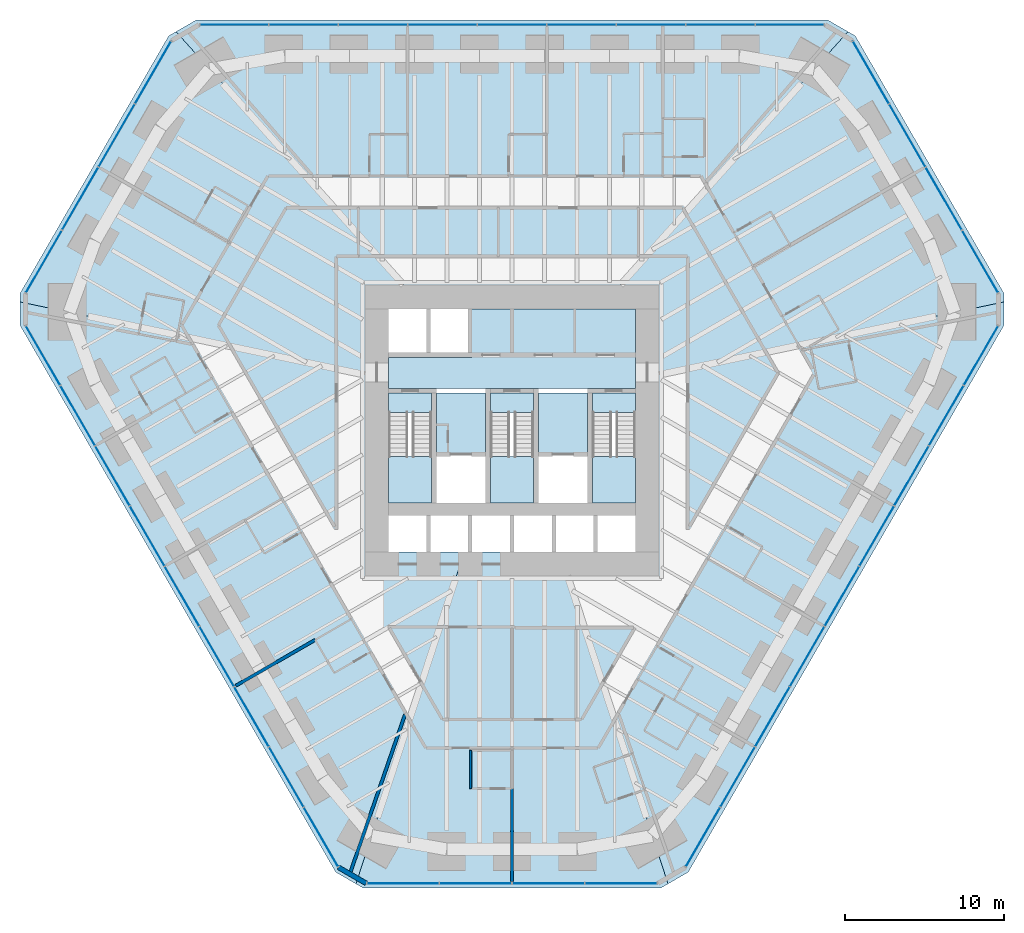
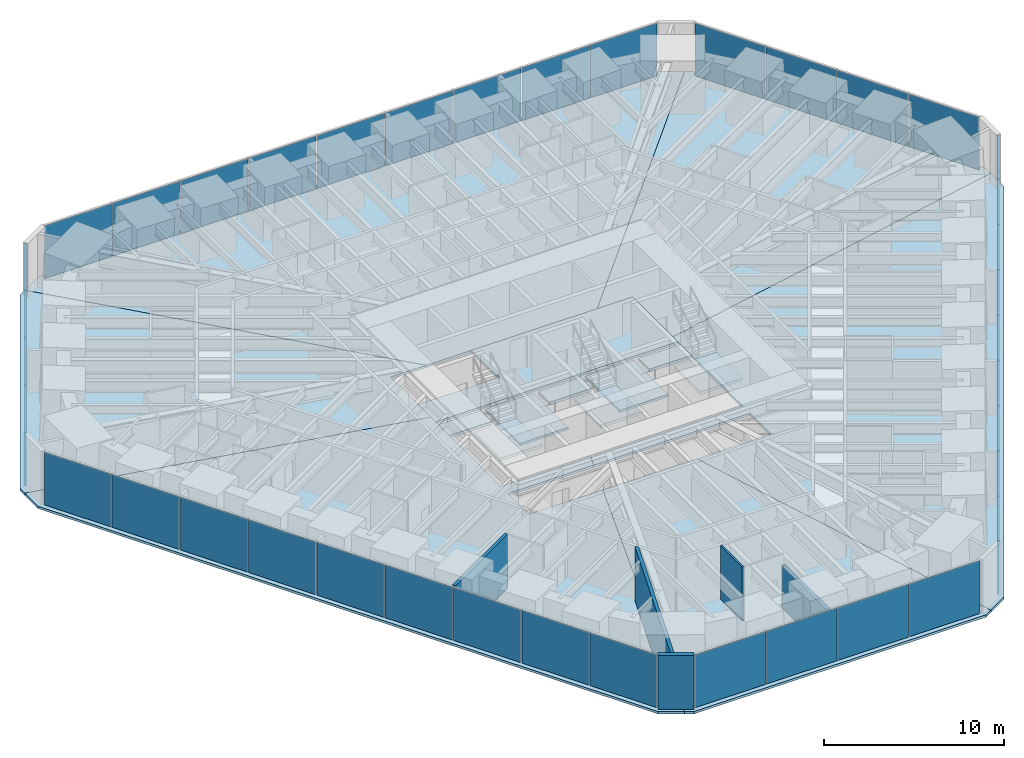
# One storey, part 10 of 17: 39 plates, 15 slabs, 5 walls, 9 elements without a shape of their own.
"""IFC4 building model written with IfcOpenShell, lengths in metres."""

from ifc_helpers import new_model, si_unit, direction, frame, frame_2d, origin, origin_2d, place, context, subcontext, project, spatial, polyline, rectangle, outline, extrude, material, layer, layer_set, type_object, element, aggregate, save


model = new_model("IFC4")

# Units and contexts
model_context = context("Model", 3, precision=1e-05, world=origin(), true_north=direction((0.0, 1.0)))
body_context = subcontext(model_context, "Body", "Model", "MODEL_VIEW")
ifc_project = project(units=[si_unit("LENGTHUNIT", "METRE"), si_unit("AREAUNIT", "SQUARE_METRE"), si_unit("VOLUMEUNIT", "CUBIC_METRE"), si_unit("PLANEANGLEUNIT", "RADIAN"), si_unit("MASSUNIT", "GRAM", prefix="KILO")], contexts=[model_context])

# Site, building, storey
site_placement = place(None, origin())
site = spatial("IfcSite", under=ifc_project, at=site_placement, CompositionType="ELEMENT")
building_placement = place(site_placement, origin())
building = spatial("IfcBuilding", under=site, at=building_placement, Name="Sandreach Pilgrim Tower", CompositionType="ELEMENT")
storey_placement = place(building_placement, frame((0.0, 0.0, 72.39990234375)))
storey = spatial("IfcBuildingStorey", under=building, at=storey_placement, Name="L17", CompositionType="ELEMENT", Elevation=72.39990234375)

# Curtain wall, plates
ifc_material_1 = material(Name="Aluminium framed curtain wall", Category="aluminium")
curtain_wall_type = type_object("IfcCurtainWallType", Name="Hostel tower curtain wall", PredefinedType="NOTDEFINED", material=ifc_material_1)
curtain_wall_1_placement = place(storey_placement, origin())
curtain_wall_1 = element("IfcCurtainWall", 1, at=curtain_wall_1_placement, inside=storey, type_object=curtain_wall_type, Name="CW-1 L17 N", PredefinedType="NOTDEFINED")
ifc_material_2 = material(Name="Insulating glass unit 6 heat-strengthened + 12 argon + 6 heat-strengthened", Category="glass")
ifc_layer_1 = layer(ifc_material_2, 0.02392578125)
ifc_layer_set_1 = layer_set([ifc_layer_1], Name="CW-1 panel")
plate_type = type_object("IfcPlateType", Name="CW-1 panel", PredefinedType="CURTAIN_PANEL", material=ifc_layer_set_1)
plate_1_placement = place(storey_placement, frame((-17.469970703125, 23.94873046875, 0.0), z_axis=(0.0, 0.0, 1.0), x_axis=(1.0, 0.0, 0.0)))
plate_1 = element("IfcPlate", 2, at=plate_1_placement, type_object=plate_type, Name="CW-1 panel 1", PredefinedType="CURTAIN_PANEL", context=body_context, shape_type="SweptSolid", body=[
    extrude(rectangle(XDim=4.274169921875, YDim=0.02392578125, at=origin_2d()), origin(), (0.0, 0.0, 1.0), 3.570068359375),
])
plate_2_placement = place(storey_placement, frame((-13.11474609375, 23.94873046875, 0.0), z_axis=(0.0, 0.0, 1.0), x_axis=(1.0, 0.0, 0.0)))
plate_2 = element("IfcPlate", 3, at=plate_2_placement, type_object=plate_type, Name="CW-1 panel 2", PredefinedType="CURTAIN_PANEL", context=body_context, shape_type="SweptSolid", body=[
    extrude(rectangle(XDim=4.306640625, YDim=0.02392578125, at=origin_2d()), origin(), (0.0, 0.0, 1.0), 3.570068359375),
])
plate_3_placement = place(storey_placement, frame((-8.7431640625, 23.94873046875, 0.0), z_axis=(0.0, 0.0, 1.0), x_axis=(1.0, 0.0, 0.0)))
plate_3 = element("IfcPlate", 4, at=plate_3_placement, type_object=plate_type, Name="CW-1 panel 3", PredefinedType="CURTAIN_PANEL", context=body_context, shape_type="SweptSolid", body=[
    extrude(rectangle(XDim=4.306640625, YDim=0.02392578125, at=origin_2d()), origin(), (0.0, 0.0, 1.0), 3.570068359375),
])
plate_4_placement = place(storey_placement, frame((-4.37158203125, 23.94873046875, 0.0), z_axis=(0.0, 0.0, 1.0), x_axis=(1.0, 0.0, 0.0)))
plate_4 = element("IfcPlate", 5, at=plate_4_placement, type_object=plate_type, Name="CW-1 panel 4", PredefinedType="CURTAIN_PANEL", context=body_context, shape_type="SweptSolid", body=[
    extrude(rectangle(XDim=4.306640625, YDim=0.02392578125, at=origin_2d()), origin(), (0.0, 0.0, 1.0), 3.570068359375),
])
plate_5_placement = place(storey_placement, frame((0.0, 23.94873046875, 0.0), z_axis=(0.0, 0.0, 1.0), x_axis=(1.0, 0.0, 0.0)))
plate_5 = element("IfcPlate", 6, at=plate_5_placement, type_object=plate_type, Name="CW-1 panel 5", PredefinedType="CURTAIN_PANEL", context=body_context, shape_type="SweptSolid", body=[
    extrude(rectangle(XDim=4.306640625, YDim=0.02392578125, at=origin_2d()), origin(), (0.0, 0.0, 1.0), 3.570068359375),
])
plate_6_placement = place(storey_placement, frame((4.37158203125, 23.94873046875, 0.0), z_axis=(0.0, 0.0, 1.0), x_axis=(1.0, 0.0, 0.0)))
plate_6 = element("IfcPlate", 7, at=plate_6_placement, type_object=plate_type, Name="CW-1 panel 6", PredefinedType="CURTAIN_PANEL", context=body_context, shape_type="SweptSolid", body=[
    extrude(rectangle(XDim=4.306640625, YDim=0.02392578125, at=origin_2d()), origin(), (0.0, 0.0, 1.0), 3.570068359375),
])
plate_7_placement = place(storey_placement, frame((8.7431640625, 23.94873046875, 0.0), z_axis=(0.0, 0.0, 1.0), x_axis=(1.0, 0.0, 0.0)))
plate_7 = element("IfcPlate", 8, at=plate_7_placement, type_object=plate_type, Name="CW-1 panel 7", PredefinedType="CURTAIN_PANEL", context=body_context, shape_type="SweptSolid", body=[
    extrude(rectangle(XDim=4.306640625, YDim=0.02392578125, at=origin_2d()), origin(), (0.0, 0.0, 1.0), 3.570068359375),
])
plate_8_placement = place(storey_placement, frame((13.11474609375, 23.94873046875, 0.0), z_axis=(0.0, 0.0, 1.0), x_axis=(1.0, 0.0, 0.0)))
plate_8 = element("IfcPlate", 9, at=plate_8_placement, type_object=plate_type, Name="CW-1 panel 8", PredefinedType="CURTAIN_PANEL", context=body_context, shape_type="SweptSolid", body=[
    extrude(rectangle(XDim=4.306640625, YDim=0.02392578125, at=origin_2d()), origin(), (0.0, 0.0, 1.0), 3.570068359375),
])
plate_9_placement = place(storey_placement, frame((17.469970703125, 23.94873046875, 0.0), z_axis=(0.0, 0.0, 1.0), x_axis=(1.0, 0.0, 0.0)))
plate_9 = element("IfcPlate", 10, at=plate_9_placement, type_object=plate_type, Name="CW-1 panel 9", PredefinedType="CURTAIN_PANEL", context=body_context, shape_type="SweptSolid", body=[
    extrude(rectangle(XDim=4.274169921875, YDim=0.02392578125, at=origin_2d()), origin(), (0.0, 0.0, 1.0), 3.570068359375),
])
aggregate(curtain_wall_1, [plate_1, plate_2, plate_3, plate_4, plate_5, plate_6, plate_7, plate_8, plate_9])

curtain_wall_2_placement = place(storey_placement, origin())
curtain_wall_2 = element("IfcCurtainWall", 11, at=curtain_wall_2_placement, inside=storey, type_object=curtain_wall_type, Name="CW-1 L17 NE", PredefinedType="NOTDEFINED")
plate_10_placement = place(storey_placement, frame((22.558837890625, 20.94873046875, 0.0), z_axis=(0.0, 0.0, 1.0), x_axis=(0.5, -0.866025403784, 0.0)))
plate_10 = element("IfcPlate", 12, at=plate_10_placement, type_object=plate_type, Name="CW-1 panel 1", PredefinedType="CURTAIN_PANEL", context=body_context, shape_type="SweptSolid", body=[
    extrude(rectangle(XDim=4.488525390625, YDim=0.02392578125, at=origin_2d()), origin(), (0.0, 0.0, 1.0), 3.570068359375),
])
plate_11_placement = place(storey_placement, frame((24.84375, 16.9912109375, 0.0), z_axis=(0.0, 0.0, 1.0), x_axis=(0.5, -0.866025403784, 0.0)))
plate_11 = element("IfcPlate", 13, at=plate_11_placement, type_object=plate_type, Name="CW-1 panel 2", PredefinedType="CURTAIN_PANEL", context=body_context, shape_type="SweptSolid", body=[
    extrude(rectangle(XDim=4.52099609375, YDim=0.02392578125, at=origin_2d()), origin(), (0.0, 0.0, 1.0), 3.570068359375),
])
plate_12_placement = place(storey_placement, frame((27.13671875, 13.01953125, 0.0), z_axis=(0.0, 0.0, 1.0), x_axis=(0.5, -0.866025403784, 0.0)))
plate_12 = element("IfcPlate", 14, at=plate_12_placement, type_object=plate_type, Name="CW-1 panel 3", PredefinedType="CURTAIN_PANEL", context=body_context, shape_type="SweptSolid", body=[
    extrude(rectangle(XDim=4.52099609375, YDim=0.02392578125, at=origin_2d()), origin(), (0.0, 0.0, 1.0), 3.570068359375),
])
plate_13_placement = place(storey_placement, frame((29.421630859375, 9.06201171875, 0.0), z_axis=(0.0, 0.0, 1.0), x_axis=(0.5, -0.866025403784, 0.0)))
plate_13 = element("IfcPlate", 15, at=plate_13_placement, type_object=plate_type, Name="CW-1 panel 4", PredefinedType="CURTAIN_PANEL", context=body_context, shape_type="SweptSolid", body=[
    extrude(rectangle(XDim=4.488525390625, YDim=0.02392578125, at=origin_2d()), origin(), (0.0, 0.0, 1.0), 3.570068359375),
])
aggregate(curtain_wall_2, [plate_10, plate_11, plate_12, plate_13])

curtain_wall_3_placement = place(storey_placement, origin())
curtain_wall_3 = element("IfcCurtainWall", 16, at=curtain_wall_3_placement, inside=storey, type_object=curtain_wall_type, Name="CW-1 L17 SE", PredefinedType="NOTDEFINED")
plate_14_placement = place(storey_placement, frame((29.475341796875, 3.1552734375, 0.0), z_axis=(0.0, 0.0, 1.0), x_axis=(-0.5, -0.866025403784, 0.0)))
plate_14 = element("IfcPlate", 17, at=plate_14_placement, type_object=plate_type, Name="CW-1 panel 1", PredefinedType="CURTAIN_PANEL", context=body_context, shape_type="SweptSolid", body=[
    extrude(rectangle(XDim=4.274169921875, YDim=0.02392578125, at=origin_2d()), origin(), (0.0, 0.0, 1.0), 3.570068359375),
])
plate_15_placement = place(storey_placement, frame((27.297607421875, -0.61669921875, 0.0), z_axis=(0.0, 0.0, 1.0), x_axis=(-0.5, -0.866025403784, 0.0)))
plate_15 = element("IfcPlate", 18, at=plate_15_placement, type_object=plate_type, Name="CW-1 panel 2", PredefinedType="CURTAIN_PANEL", context=body_context, shape_type="SweptSolid", body=[
    extrude(rectangle(XDim=4.306640625, YDim=0.02392578125, at=origin_2d()), origin(), (0.0, 0.0, 1.0), 3.570068359375),
])
plate_16_placement = place(storey_placement, frame((25.11181640625, -4.402587890625, 0.0), z_axis=(0.0, 0.0, 1.0), x_axis=(-0.5, -0.866025403784, 0.0)))
plate_16 = element("IfcPlate", 19, at=plate_16_placement, type_object=plate_type, Name="CW-1 panel 3", PredefinedType="CURTAIN_PANEL", context=body_context, shape_type="SweptSolid", body=[
    extrude(rectangle(XDim=4.306640625, YDim=0.02392578125, at=origin_2d()), origin(), (0.0, 0.0, 1.0), 3.570068359375),
])
plate_17_placement = place(storey_placement, frame((22.926025390625, -8.1884765625, 0.0), z_axis=(0.0, 0.0, 1.0), x_axis=(-0.5, -0.866025403784, 0.0)))
plate_17 = element("IfcPlate", 20, at=plate_17_placement, type_object=plate_type, Name="CW-1 panel 4", PredefinedType="CURTAIN_PANEL", context=body_context, shape_type="SweptSolid", body=[
    extrude(rectangle(XDim=4.306640625, YDim=0.02392578125, at=origin_2d()), origin(), (0.0, 0.0, 1.0), 3.570068359375),
])
plate_18_placement = place(storey_placement, frame((20.740234375, -11.974365234375, 0.0), z_axis=(0.0, 0.0, 1.0), x_axis=(-0.5, -0.866025403784, 0.0)))
plate_18 = element("IfcPlate", 21, at=plate_18_placement, type_object=plate_type, Name="CW-1 panel 5", PredefinedType="CURTAIN_PANEL", context=body_context, shape_type="SweptSolid", body=[
    extrude(rectangle(XDim=4.306640625, YDim=0.02392578125, at=origin_2d()), origin(), (0.0, 0.0, 1.0), 3.570068359375),
])
plate_19_placement = place(storey_placement, frame((18.554443359375, -15.76025390625, 0.0), z_axis=(0.0, 0.0, 1.0), x_axis=(-0.5, -0.866025403784, 0.0)))
plate_19 = element("IfcPlate", 22, at=plate_19_placement, type_object=plate_type, Name="CW-1 panel 6", PredefinedType="CURTAIN_PANEL", context=body_context, shape_type="SweptSolid", body=[
    extrude(rectangle(XDim=4.306640625, YDim=0.02392578125, at=origin_2d()), origin(), (0.0, 0.0, 1.0), 3.570068359375),
])
plate_20_placement = place(storey_placement, frame((16.36865234375, -19.546142578125, 0.0), z_axis=(0.0, 0.0, 1.0), x_axis=(-0.5, -0.866025403784, 0.0)))
plate_20 = element("IfcPlate", 23, at=plate_20_placement, type_object=plate_type, Name="CW-1 panel 7", PredefinedType="CURTAIN_PANEL", context=body_context, shape_type="SweptSolid", body=[
    extrude(rectangle(XDim=4.306640625, YDim=0.02392578125, at=origin_2d()), origin(), (0.0, 0.0, 1.0), 3.570068359375),
])
plate_21_placement = place(storey_placement, frame((14.182861328125, -23.33203125, 0.0), z_axis=(0.0, 0.0, 1.0), x_axis=(-0.5, -0.866025403784, 0.0)))
plate_21 = element("IfcPlate", 24, at=plate_21_placement, type_object=plate_type, Name="CW-1 panel 8", PredefinedType="CURTAIN_PANEL", context=body_context, shape_type="SweptSolid", body=[
    extrude(rectangle(XDim=4.306640625, YDim=0.02392578125, at=origin_2d()), origin(), (0.0, 0.0, 1.0), 3.570068359375),
])
plate_22_placement = place(storey_placement, frame((12.005126953125, -27.103759765625, 0.0), z_axis=(0.0, 0.0, 1.0), x_axis=(-0.5, -0.866025403784, 0.0)))
plate_22 = element("IfcPlate", 25, at=plate_22_placement, type_object=plate_type, Name="CW-1 panel 9", PredefinedType="CURTAIN_PANEL", context=body_context, shape_type="SweptSolid", body=[
    extrude(rectangle(XDim=4.274169921875, YDim=0.02392578125, at=origin_2d()), origin(), (0.0, 0.0, 1.0), 3.570068359375),
])
aggregate(curtain_wall_3, [plate_14, plate_15, plate_16, plate_17, plate_18, plate_19, plate_20, plate_21, plate_22])

curtain_wall_4_placement = place(storey_placement, origin())
curtain_wall_4 = element("IfcCurtainWall", 26, at=curtain_wall_4_placement, inside=storey, type_object=curtain_wall_type, Name="CW-1 L17 S", PredefinedType="NOTDEFINED")
plate_23_placement = place(storey_placement, frame((6.86279296875, -30.010986328125, 0.0), z_axis=(0.0, 0.0, 1.0), x_axis=(-1.0, 0.0, 0.0)))
plate_23 = element("IfcPlate", 27, at=plate_23_placement, type_object=plate_type, Name="CW-1 panel 1", PredefinedType="CURTAIN_PANEL", context=body_context, shape_type="SweptSolid", body=[
    extrude(rectangle(XDim=4.488525390625, YDim=0.02392578125, at=origin_2d()), origin(), (0.0, 0.0, 1.0), 3.570068359375),
])
plate_24_placement = place(storey_placement, frame((2.29296875, -30.010986328125, 0.0), z_axis=(0.0, 0.0, 1.0), x_axis=(-1.0, 0.0, 0.0)))
plate_24 = element("IfcPlate", 28, at=plate_24_placement, type_object=plate_type, Name="CW-1 panel 2", PredefinedType="CURTAIN_PANEL", context=body_context, shape_type="SweptSolid", body=[
    extrude(rectangle(XDim=4.52099609375, YDim=0.02392578125, at=origin_2d()), origin(), (0.0, 0.0, 1.0), 3.570068359375),
])
plate_25_placement = place(storey_placement, frame((-2.29296875, -30.010986328125, 0.0), z_axis=(0.0, 0.0, 1.0), x_axis=(-1.0, 0.0, 0.0)))
plate_25 = element("IfcPlate", 29, at=plate_25_placement, type_object=plate_type, Name="CW-1 panel 3", PredefinedType="CURTAIN_PANEL", context=body_context, shape_type="SweptSolid", body=[
    extrude(rectangle(XDim=4.52099609375, YDim=0.02392578125, at=origin_2d()), origin(), (0.0, 0.0, 1.0), 3.570068359375),
])
plate_26_placement = place(storey_placement, frame((-6.86279296875, -30.010986328125, 0.0), z_axis=(0.0, 0.0, 1.0), x_axis=(-1.0, 0.0, 0.0)))
plate_26 = element("IfcPlate", 30, at=plate_26_placement, type_object=plate_type, Name="CW-1 panel 4", PredefinedType="CURTAIN_PANEL", context=body_context, shape_type="SweptSolid", body=[
    extrude(rectangle(XDim=4.488525390625, YDim=0.02392578125, at=origin_2d()), origin(), (0.0, 0.0, 1.0), 3.570068359375),
])
aggregate(curtain_wall_4, [plate_23, plate_24, plate_25, plate_26])

curtain_wall_5_placement = place(storey_placement, origin())
curtain_wall_5 = element("IfcCurtainWall", 31, at=curtain_wall_5_placement, inside=storey, type_object=curtain_wall_type, Name="CW-1 L17 SW", PredefinedType="NOTDEFINED")
plate_27_placement = place(storey_placement, frame((-12.005126953125, -27.103759765625, 0.0), z_axis=(0.0, 0.0, 1.0), x_axis=(-0.5, 0.866025403784, 0.0)))
plate_27 = element("IfcPlate", 32, at=plate_27_placement, type_object=plate_type, Name="CW-1 panel 1", PredefinedType="CURTAIN_PANEL", context=body_context, shape_type="SweptSolid", body=[
    extrude(rectangle(XDim=4.274169921875, YDim=0.02392578125, at=origin_2d()), origin(), (0.0, 0.0, 1.0), 3.570068359375),
])
plate_28_placement = place(storey_placement, frame((-14.182861328125, -23.33203125, 0.0), z_axis=(0.0, 0.0, 1.0), x_axis=(-0.5, 0.866025403784, 0.0)))
plate_28 = element("IfcPlate", 33, at=plate_28_placement, type_object=plate_type, Name="CW-1 panel 2", PredefinedType="CURTAIN_PANEL", context=body_context, shape_type="SweptSolid", body=[
    extrude(rectangle(XDim=4.306640625, YDim=0.02392578125, at=origin_2d()), origin(), (0.0, 0.0, 1.0), 3.570068359375),
])
plate_29_placement = place(storey_placement, frame((-16.36865234375, -19.546142578125, 0.0), z_axis=(0.0, 0.0, 1.0), x_axis=(-0.5, 0.866025403784, 0.0)))
plate_29 = element("IfcPlate", 34, at=plate_29_placement, type_object=plate_type, Name="CW-1 panel 3", PredefinedType="CURTAIN_PANEL", context=body_context, shape_type="SweptSolid", body=[
    extrude(rectangle(XDim=4.306640625, YDim=0.02392578125, at=origin_2d()), origin(), (0.0, 0.0, 1.0), 3.570068359375),
])
plate_30_placement = place(storey_placement, frame((-18.554443359375, -15.76025390625, 0.0), z_axis=(0.0, 0.0, 1.0), x_axis=(-0.5, 0.866025403784, 0.0)))
plate_30 = element("IfcPlate", 35, at=plate_30_placement, type_object=plate_type, Name="CW-1 panel 4", PredefinedType="CURTAIN_PANEL", context=body_context, shape_type="SweptSolid", body=[
    extrude(rectangle(XDim=4.306640625, YDim=0.02392578125, at=origin_2d()), origin(), (0.0, 0.0, 1.0), 3.570068359375),
])
plate_31_placement = place(storey_placement, frame((-20.740234375, -11.974365234375, 0.0), z_axis=(0.0, 0.0, 1.0), x_axis=(-0.5, 0.866025403784, 0.0)))
plate_31 = element("IfcPlate", 36, at=plate_31_placement, type_object=plate_type, Name="CW-1 panel 5", PredefinedType="CURTAIN_PANEL", context=body_context, shape_type="SweptSolid", body=[
    extrude(rectangle(XDim=4.306640625, YDim=0.02392578125, at=origin_2d()), origin(), (0.0, 0.0, 1.0), 3.570068359375),
])
plate_32_placement = place(storey_placement, frame((-22.926025390625, -8.1884765625, 0.0), z_axis=(0.0, 0.0, 1.0), x_axis=(-0.5, 0.866025403784, 0.0)))
plate_32 = element("IfcPlate", 37, at=plate_32_placement, type_object=plate_type, Name="CW-1 panel 6", PredefinedType="CURTAIN_PANEL", context=body_context, shape_type="SweptSolid", body=[
    extrude(rectangle(XDim=4.306640625, YDim=0.02392578125, at=origin_2d()), origin(), (0.0, 0.0, 1.0), 3.570068359375),
])
plate_33_placement = place(storey_placement, frame((-25.11181640625, -4.402587890625, 0.0), z_axis=(0.0, 0.0, 1.0), x_axis=(-0.5, 0.866025403784, 0.0)))
plate_33 = element("IfcPlate", 38, at=plate_33_placement, type_object=plate_type, Name="CW-1 panel 7", PredefinedType="CURTAIN_PANEL", context=body_context, shape_type="SweptSolid", body=[
    extrude(rectangle(XDim=4.306640625, YDim=0.02392578125, at=origin_2d()), origin(), (0.0, 0.0, 1.0), 3.570068359375),
])
plate_34_placement = place(storey_placement, frame((-27.297607421875, -0.61669921875, 0.0), z_axis=(0.0, 0.0, 1.0), x_axis=(-0.5, 0.866025403784, 0.0)))
plate_34 = element("IfcPlate", 39, at=plate_34_placement, type_object=plate_type, Name="CW-1 panel 8", PredefinedType="CURTAIN_PANEL", context=body_context, shape_type="SweptSolid", body=[
    extrude(rectangle(XDim=4.306640625, YDim=0.02392578125, at=origin_2d()), origin(), (0.0, 0.0, 1.0), 3.570068359375),
])
plate_35_placement = place(storey_placement, frame((-29.475341796875, 3.1552734375, 0.0), z_axis=(0.0, 0.0, 1.0), x_axis=(-0.5, 0.866025403784, 0.0)))
plate_35 = element("IfcPlate", 40, at=plate_35_placement, type_object=plate_type, Name="CW-1 panel 9", PredefinedType="CURTAIN_PANEL", context=body_context, shape_type="SweptSolid", body=[
    extrude(rectangle(XDim=4.274169921875, YDim=0.02392578125, at=origin_2d()), origin(), (0.0, 0.0, 1.0), 3.570068359375),
])
aggregate(curtain_wall_5, [plate_27, plate_28, plate_29, plate_30, plate_31, plate_32, plate_33, plate_34, plate_35])

curtain_wall_6_placement = place(storey_placement, origin())
curtain_wall_6 = element("IfcCurtainWall", 41, at=curtain_wall_6_placement, inside=storey, type_object=curtain_wall_type, Name="CW-1 L17 NW", PredefinedType="NOTDEFINED")
plate_36_placement = place(storey_placement, frame((-29.421630859375, 9.06201171875, 0.0), z_axis=(0.0, 0.0, 1.0), x_axis=(0.5, 0.866025403784, 0.0)))
plate_36 = element("IfcPlate", 42, at=plate_36_placement, type_object=plate_type, Name="CW-1 panel 1", PredefinedType="CURTAIN_PANEL", context=body_context, shape_type="SweptSolid", body=[
    extrude(rectangle(XDim=4.488525390625, YDim=0.02392578125, at=origin_2d()), origin(), (0.0, 0.0, 1.0), 3.570068359375),
])
plate_37_placement = place(storey_placement, frame((-27.13671875, 13.01953125, 0.0), z_axis=(0.0, 0.0, 1.0), x_axis=(0.5, 0.866025403784, 0.0)))
plate_37 = element("IfcPlate", 43, at=plate_37_placement, type_object=plate_type, Name="CW-1 panel 2", PredefinedType="CURTAIN_PANEL", context=body_context, shape_type="SweptSolid", body=[
    extrude(rectangle(XDim=4.52099609375, YDim=0.02392578125, at=origin_2d()), origin(), (0.0, 0.0, 1.0), 3.570068359375),
])
plate_38_placement = place(storey_placement, frame((-24.84375, 16.9912109375, 0.0), z_axis=(0.0, 0.0, 1.0), x_axis=(0.5, 0.866025403784, 0.0)))
plate_38 = element("IfcPlate", 44, at=plate_38_placement, type_object=plate_type, Name="CW-1 panel 3", PredefinedType="CURTAIN_PANEL", context=body_context, shape_type="SweptSolid", body=[
    extrude(rectangle(XDim=4.52099609375, YDim=0.02392578125, at=origin_2d()), origin(), (0.0, 0.0, 1.0), 3.570068359375),
])
plate_39_placement = place(storey_placement, frame((-22.558837890625, 20.94873046875, 0.0), z_axis=(0.0, 0.0, 1.0), x_axis=(0.5, 0.866025403784, 0.0)))
plate_39 = element("IfcPlate", 45, at=plate_39_placement, type_object=plate_type, Name="CW-1 panel 4", PredefinedType="CURTAIN_PANEL", context=body_context, shape_type="SweptSolid", body=[
    extrude(rectangle(XDim=4.488525390625, YDim=0.02392578125, at=origin_2d()), origin(), (0.0, 0.0, 1.0), 3.570068359375),
])
aggregate(curtain_wall_6, [plate_36, plate_37, plate_38, plate_39])

# Slabs
ifc_material_3 = material(Name="Concrete 8000 psi", Category="concrete")
ifc_layer_2 = layer(ifc_material_3, 0.159912109375)
ifc_layer_set_2 = layer_set([ifc_layer_2], Name="Composite floor slab 160")
slab_type_1 = type_object("IfcSlabType", Name="Composite floor slab 160", PredefinedType="FLOOR", material=ifc_layer_set_2)
slab_1_placement = place(storey_placement, frame((0.0, 0.0, -0.159912109375)))
element("IfcSlab", 46, at=slab_1_placement, inside=storey, type_object=slab_type_1, Name="Floor slab L17 N sector", PredefinedType="FLOOR", context=body_context, shape_type="SweptSolid", body=[
    extrude(outline(polyline([(-19.84521484375, 24.248779296875), (19.84521484375, 24.248779296875), (21.115478515625, 23.515380859375), (5.477294921875, 6.10009765625), (-5.477294921875, 6.10009765625), (-21.115478515625, 23.515380859375), (-19.84521484375, 24.248779296875)])), origin(), (0.0, 0.0, 1.0), 0.159912109375),
])
slab_2_placement = place(storey_placement, frame((0.0, 0.0, -0.159912109375)))
element("IfcSlab", 47, at=slab_2_placement, inside=storey, type_object=slab_type_1, Name="Floor slab L17 NE sector", PredefinedType="FLOOR", context=body_context, shape_type="SweptSolid", body=[
    extrude(outline(polyline([(21.577392578125, 23.248779296875), (30.922607421875, 7.062255859375), (30.922607421875, 6.52880859375), (7.75, 1.63623046875), (7.75, 6.10009765625), (5.477294921875, 6.10009765625), (21.115478515625, 23.515380859375), (21.577392578125, 23.248779296875)])), origin(), (0.0, 0.0, 1.0), 0.159912109375),
])
slab_3_placement = place(storey_placement, frame((0.0, 0.0, -0.159912109375)))
element("IfcSlab", 48, at=slab_3_placement, inside=storey, type_object=slab_type_1, Name="Floor slab L17 SE sector", PredefinedType="FLOOR", context=body_context, shape_type="SweptSolid", body=[
    extrude(outline(polyline([(11.077392578125, -29.310791015625), (9.80712890625, -30.044189453125), (3.003173828125, -9.199951171875), (7.75, -9.199951171875), (7.75, -6.89990234375), (-2.252197265625, -6.89990234375), (-1.9912109375, -6.10009765625), (7.75, -6.10009765625), (7.75, 1.63623046875), (30.922607421875, 6.52880859375), (30.922607421875, 5.062255859375), (11.077392578125, -29.310791015625)])), origin(), (0.0, 0.0, 1.0), 0.159912109375),
])
slab_4_placement = place(storey_placement, frame((0.0, 0.0, -0.159912109375)))
element("IfcSlab", 49, at=slab_4_placement, inside=storey, type_object=slab_type_1, Name="Floor slab L17 S sector", PredefinedType="FLOOR", context=body_context, shape_type="SweptSolid", body=[
    extrude(outline(polyline([(9.34521484375, -30.310791015625), (-9.34521484375, -30.310791015625), (-9.80712890625, -30.044189453125), (-3.003173828125, -9.199951171875), (3.003173828125, -9.199951171875), (9.80712890625, -30.044189453125), (9.34521484375, -30.310791015625)])), origin(), (0.0, 0.0, 1.0), 0.159912109375),
])
slab_5_placement = place(storey_placement, frame((0.0, 0.0, -0.159912109375)))
element("IfcSlab", 50, at=slab_5_placement, inside=storey, type_object=slab_type_1, Name="Floor slab L17 SW sector", PredefinedType="FLOOR", context=body_context, shape_type="SweptSolid", body=[
    extrude(outline(polyline([(-11.077392578125, -29.310791015625), (-30.922607421875, 5.062255859375), (-30.922607421875, 6.52880859375), (-7.75, 1.63623046875), (-7.75, -6.10009765625), (-1.9912109375, -6.10009765625), (-2.252197265625, -6.89990234375), (-7.75, -6.89990234375), (-7.75, -9.199951171875), (-3.003173828125, -9.199951171875), (-9.80712890625, -30.044189453125), (-11.077392578125, -29.310791015625)])), origin(), (0.0, 0.0, 1.0), 0.159912109375),
])
slab_6_placement = place(storey_placement, frame((0.0, 0.0, -0.159912109375)))
element("IfcSlab", 51, at=slab_6_placement, inside=storey, type_object=slab_type_1, Name="Floor slab L17 NW sector", PredefinedType="FLOOR", context=body_context, shape_type="SweptSolid", body=[
    extrude(outline(polyline([(-30.922607421875, 7.062255859375), (-21.577392578125, 23.248779296875), (-21.115478515625, 23.515380859375), (-5.477294921875, 6.10009765625), (-7.75, 6.10009765625), (-7.75, 1.63623046875), (-30.922607421875, 6.52880859375), (-30.922607421875, 7.062255859375)])), origin(), (0.0, 0.0, 1.0), 0.159912109375),
])
slab_7_placement = place(storey_placement, frame((0.0, 0.0, -0.159912109375)))
element("IfcSlab", 52, at=slab_7_placement, inside=storey, type_object=slab_type_1, Name="Core floor slab and stores L17", PredefinedType="FLOOR", context=body_context, shape_type="SweptSolid", body=[
    extrude(outline(polyline([(-7.75, 3.050048828125), (-5.375, 3.050048828125), (-5.125, 3.050048828125), (-2.5, 3.050048828125), (-2.5, 3.35009765625), (-2.60009765625, 3.35009765625), (-2.60009765625, 6.10009765625), (7.75, 6.10009765625), (7.75, 1.10009765625), (5.050048828125, 1.10009765625), (4.75, 1.10009765625), (1.64990234375, 1.10009765625), (1.35009765625, 1.10009765625), (-1.35009765625, 1.10009765625), (-1.64990234375, 1.10009765625), (-4.75, 1.10009765625), (-5.050048828125, 1.10009765625), (-7.75, 1.10009765625), (-7.75, 3.050048828125)])), origin(), (0.0, 0.0, 1.0), 0.159912109375),
])
slab_8_placement = place(storey_placement, frame((0.0, 0.0, -0.159912109375)))
element("IfcSlab", 53, at=slab_8_placement, inside=storey, type_object=slab_type_1, Name="Core floor slab and stores L17 2", PredefinedType="FLOOR", context=body_context, shape_type="SweptSolid", body=[
    extrude(outline(polyline([(-1.64990234375, -3.050048828125), (-4.75, -3.050048828125), (-4.75, 0.800048828125), (-1.64990234375, 0.800048828125), (-1.64990234375, -3.050048828125)])), origin(), (0.0, 0.0, 1.0), 0.159912109375),
])
slab_9_placement = place(storey_placement, frame((0.0, 0.0, -0.159912109375)))
element("IfcSlab", 54, at=slab_9_placement, inside=storey, type_object=slab_type_1, Name="Core floor slab and stores L17 3", PredefinedType="FLOOR", context=body_context, shape_type="SweptSolid", body=[
    extrude(outline(polyline([(4.75, -3.050048828125), (1.64990234375, -3.050048828125), (1.64990234375, 0.800048828125), (4.75, 0.800048828125), (4.75, -3.050048828125)])), origin(), (0.0, 0.0, 1.0), 0.159912109375),
])

# Stair, slabs
ifc_material_4 = material(Name="Concrete 8000 psi", Category="concrete")
stair_type = type_object("IfcStairType", Name="Core exit stair", PredefinedType="HALF_TURN_STAIR", material=ifc_material_4)
stair_1_placement = place(storey_placement, origin())
stair_1 = element("IfcStair", 55, at=stair_1_placement, inside=storey, type_object=stair_type, Name="Exit stair ST1 L17", PredefinedType="HALF_TURN_STAIR")
ifc_material_5 = material(Name="Concrete 8000 psi", Category="concrete")
ifc_layer_3 = layer(ifc_material_5, 0.199951171875)
ifc_layer_set_3 = layer_set([ifc_layer_3], Name="Core stair landing 200")
slab_type_2 = type_object("IfcSlabType", Name="Core stair landing 200", PredefinedType="LANDING", material=ifc_layer_set_3)
slab_10_placement = place(storey_placement, frame((0.0, 0.0, -0.199951171875)))
slab_10 = element("IfcSlab", 56, at=slab_10_placement, type_object=slab_type_2, Name="ST1 landing 1", PredefinedType="LANDING", context=body_context, shape_type="SweptSolid", body=[
    extrude(outline(polyline([(-7.75, -0.425048828125), (-5.050048828125, -0.425048828125), (-5.050048828125, 0.800048828125), (-7.75, 0.800048828125), (-7.75, -0.425048828125)])), origin(), (0.0, 0.0, 1.0), 0.199951171875),
])
slab_11_placement = place(storey_placement, frame((0.0, 0.0, 1.7001953125)))
slab_11 = element("IfcSlab", 57, at=slab_11_placement, type_object=slab_type_2, Name="ST1 landing 2", PredefinedType="LANDING", context=body_context, shape_type="SweptSolid", body=[
    extrude(outline(polyline([(-7.75, -6.10009765625), (-5.050048828125, -6.10009765625), (-5.050048828125, -3.175048828125), (-7.75, -3.175048828125), (-7.75, -6.10009765625)])), origin(), (0.0, 0.0, 1.0), 0.199951171875),
])
aggregate(stair_1, [slab_10, slab_11])

stair_2_placement = place(storey_placement, origin())
stair_2 = element("IfcStair", 58, at=stair_2_placement, inside=storey, type_object=stair_type, Name="Exit stair ST3 L17", PredefinedType="HALF_TURN_STAIR")
slab_12_placement = place(storey_placement, frame((0.0, 0.0, -0.199951171875)))
slab_12 = element("IfcSlab", 59, at=slab_12_placement, type_object=slab_type_2, Name="ST3 landing 1", PredefinedType="LANDING", context=body_context, shape_type="SweptSolid", body=[
    extrude(outline(polyline([(-1.35009765625, -0.425048828125), (1.35009765625, -0.425048828125), (1.35009765625, 0.800048828125), (-1.35009765625, 0.800048828125), (-1.35009765625, -0.425048828125)])), origin(), (0.0, 0.0, 1.0), 0.199951171875),
])
slab_13_placement = place(storey_placement, frame((0.0, 0.0, 1.7001953125)))
slab_13 = element("IfcSlab", 60, at=slab_13_placement, type_object=slab_type_2, Name="ST3 landing 2", PredefinedType="LANDING", context=body_context, shape_type="SweptSolid", body=[
    extrude(outline(polyline([(-1.35009765625, -6.10009765625), (1.35009765625, -6.10009765625), (1.35009765625, -3.175048828125), (-1.35009765625, -3.175048828125), (-1.35009765625, -6.10009765625)])), origin(), (0.0, 0.0, 1.0), 0.199951171875),
])
aggregate(stair_2, [slab_12, slab_13])

stair_3_placement = place(storey_placement, origin())
stair_3 = element("IfcStair", 61, at=stair_3_placement, inside=storey, type_object=stair_type, Name="Exit stair ST2 L17", PredefinedType="HALF_TURN_STAIR")
slab_14_placement = place(storey_placement, frame((0.0, 0.0, -0.199951171875)))
slab_14 = element("IfcSlab", 62, at=slab_14_placement, type_object=slab_type_2, Name="ST2 landing 1", PredefinedType="LANDING", context=body_context, shape_type="SweptSolid", body=[
    extrude(outline(polyline([(5.050048828125, -0.425048828125), (7.75, -0.425048828125), (7.75, 0.800048828125), (5.050048828125, 0.800048828125), (5.050048828125, -0.425048828125)])), origin(), (0.0, 0.0, 1.0), 0.199951171875),
])
slab_15_placement = place(storey_placement, frame((0.0, 0.0, 1.7001953125)))
slab_15 = element("IfcSlab", 63, at=slab_15_placement, type_object=slab_type_2, Name="ST2 landing 2", PredefinedType="LANDING", context=body_context, shape_type="SweptSolid", body=[
    extrude(outline(polyline([(5.050048828125, -6.10009765625), (7.75, -6.10009765625), (7.75, -3.175048828125), (5.050048828125, -3.175048828125), (5.050048828125, -6.10009765625)])), origin(), (0.0, 0.0, 1.0), 0.199951171875),
])
aggregate(stair_3, [slab_14, slab_15])

# Walls
ifc_material_6 = material(Name="Moisture-resistant gypsum board on steel studs", Category="steel")
ifc_layer_4 = layer(ifc_material_6, 0.1201171875)
ifc_layer_set_4 = layer_set([ifc_layer_4], Name="Bathroom partition 120")
wall_type_1 = type_object("IfcWallType", Name="Bathroom partition 120", PredefinedType="PARTITIONING", material=ifc_layer_set_4)
wall_1_placement = place(storey_placement, frame((-2.60009765625, -21.659912109375, 0.0), z_axis=(0.0, 0.0, 1.0), x_axis=(0.0, -1.0, 0.0)))
element("IfcWall", 64, at=wall_1_placement, inside=storey, type_object=wall_type_1, Name="Bathroom partition L17-062", PredefinedType="PARTITIONING", context=body_context, shape_type="SweptSolid", body=[
    extrude(rectangle(XDim=2.400146484375, YDim=0.1201171875, at=frame_2d((1.2001953125, 0.0))), origin(), (0.0, 0.0, 1.0), 3.64013671875),
])
ifc_material_7 = material(Name="Double steel stud acoustic wall, gypsum board", Category="steel")
ifc_layer_5 = layer(ifc_material_7, 0.199951171875)
ifc_layer_set_5 = layer_set([ifc_layer_5], Name="Party wall 200")
wall_type_2 = type_object("IfcWallType", Name="Party wall 200", PredefinedType="PARTITIONING", material=ifc_layer_set_5)
wall_2_placement = place(storey_placement, frame((-17.356201171875, -17.590087890625, 0.0), z_axis=(0.0, 0.0, 1.0), x_axis=(0.865929957466, 0.500165281445, 0.0)))
element("IfcWall", 65, at=wall_2_placement, inside=storey, type_object=wall_type_2, Name="Party wall L17-029", PredefinedType="PARTITIONING", context=body_context, shape_type="SweptSolid", body=[
    extrude(rectangle(XDim=5.75830078125, YDim=0.199951171875, at=frame_2d((2.879150390625, 0.0))), origin(), (0.0, 0.0, 1.0), 3.64013671875),
])
wall_3_placement = place(storey_placement, frame((-10.2001953125, -29.441650390625, 0.0), z_axis=(0.0, 0.0, 1.0), x_axis=(0.327375786306, 0.944894223996, 0.0)))
element("IfcWall", 66, at=wall_3_placement, inside=storey, type_object=wall_type_2, Name="Party wall L17-044", PredefinedType="PARTITIONING", context=body_context, shape_type="SweptSolid", body=[
    extrude(rectangle(XDim=10.62255859375, YDim=0.199951171875, at=frame_2d((5.311279296875, 0.0))), origin(), (0.0, 0.0, 1.0), 3.64013671875),
])
wall_4_placement = place(storey_placement, frame((0.0, -29.889892578125, 0.0), z_axis=(0.0, 0.0, 1.0), x_axis=(0.0, 1.0, 0.0)))
element("IfcWall", 67, at=wall_4_placement, inside=storey, type_object=wall_type_2, Name="Party wall L17-068", PredefinedType="PARTITIONING", context=body_context, shape_type="SweptSolid", body=[
    extrude(rectangle(XDim=5.829833984375, YDim=0.199951171875, at=frame_2d((2.9150390625, 0.0))), origin(), (0.0, 0.0, 1.0), 2.8603515625),
])
ifc_material_8 = material(Name="Terracotta rainscreen on concrete", Category="masonry")
ifc_layer_6 = layer(ifc_material_8, 0.300048828125)
ifc_layer_set_6 = layer_set([ifc_layer_6], Name="Terracotta chamfer pier")
wall_type_3 = type_object("IfcWallType", Name="Terracotta chamfer pier", PredefinedType="SOLIDWALL", material=ifc_layer_set_6)
wall_5_placement = place(storey_placement, frame((-9.172119140625, -30.010986328125, 0.0), z_axis=(0.0, 0.0, 1.0), x_axis=(-0.866010750942, 0.50002537861, 0.0)))
element("IfcWall", 68, at=wall_5_placement, inside=storey, type_object=wall_type_3, Name="Chamfer pier L17 S", PredefinedType="SOLIDWALL", context=body_context, shape_type="SweptSolid", body=[
    extrude(rectangle(XDim=2.0, YDim=0.300048828125, at=frame_2d((1.0, 0.0))), origin(), (0.0, 0.0, 1.0), 3.64013671875),
])

save(model, "model.ifc")
